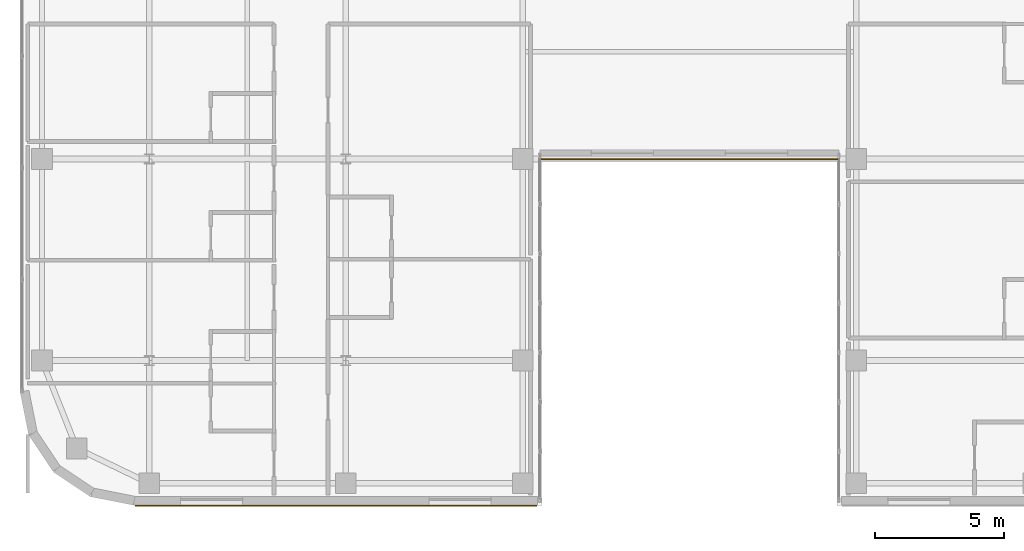
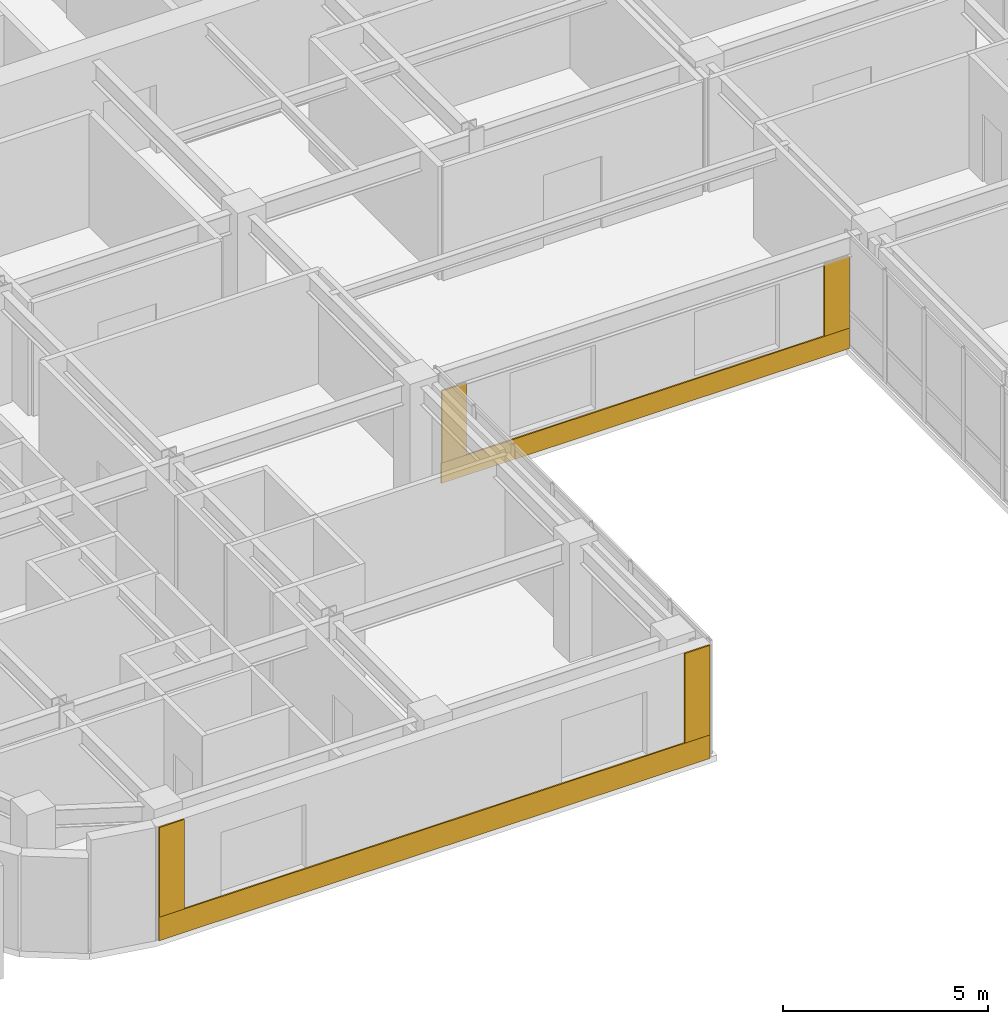
# One storey, part 24 of 28: 6 coverings.
"""IFC4 building model written with IfcOpenShell, lengths in metres."""

import ifcopenshell
import ifcopenshell.guid

model = None  # the IFC model being written
_history = None  # IfcOwnerHistory: only IFC2X3 demands one
_inside = {}  # id of a spatial element -> (the spatial element, [elements in it])
_under = {}  # id of a project, library or spatial element -> (it, [spatial elements below it])
_declared = {}  # id of a project -> (the project, [libraries it declares])
_typed = {}  # id of a type object -> (the type object, [elements of that type])
_made_of = {}  # id of a material, layer set ... -> (it, [elements and type objects made of it])


def new_model(schema):
    """Start an empty IFC model of exactly this schema.

    Asked for "IFC4X3", IfcOpenShell would pick the latest addendum, in which some entities
    have other attributes; the version numbers below select the first issue.
    IFC2X3 requires an IfcOwnerHistory on every rooted entity: one is made here for all.
    """
    global model, _history
    if schema == "IFC4X3":
        model = ifcopenshell.file(schema_version=(4, 3, 0, 0))
    else:
        model = ifcopenshell.file(schema=schema)
    _inside.clear()
    _under.clear()
    _declared.clear()
    _typed.clear()
    _made_of.clear()
    _history = None
    if model.schema == "IFC2X3":
        org = make("IfcOrganization", Name="unknown")
        user = make(
            "IfcPersonAndOrganization",
            ThePerson=make("IfcPerson", FamilyName="unknown"),
            TheOrganization=org,
        )
        app = make(
            "IfcApplication",
            ApplicationDeveloper=org,
            Version="unknown",
            ApplicationFullName="unknown",
            ApplicationIdentifier="unknown",
        )
        _history = make(
            "IfcOwnerHistory",
            OwningUser=user,
            OwningApplication=app,
            ChangeAction="ADDED",
            CreationDate=0,
        )
    return model


def make(cls, **values):
    """One entity of the class cls with the attributes given. An attribute that is None is left unset."""
    return model.create_entity(
        cls, **{name: value for name, value in values.items() if value is not None}
    )


def rooted(cls, **values):
    """An entity with a GlobalId (a new one), such as an element, a storey or a relation."""
    return make(cls, GlobalId=ifcopenshell.guid.new(), OwnerHistory=_history, **values)


def si_unit(unit_type, name, prefix=None):
    """IfcSIUnit, for example si_unit("LENGTHUNIT", "METRE", prefix="MILLI")."""
    return make("IfcSIUnit", UnitType=unit_type, Prefix=prefix, Name=name)


def assignment(units):
    """IfcUnitAssignment: the units of a project."""
    return None if units is None else make("IfcUnitAssignment", Units=units)


def point(xyz):
    """IfcCartesianPoint."""
    return None if xyz is None else make("IfcCartesianPoint", Coordinates=xyz)


def direction(xyz):
    """IfcDirection."""
    return None if xyz is None else make("IfcDirection", DirectionRatios=xyz)


def frame(location, z_axis=None, x_axis=None):
    """IfcAxis2Placement3D, a coordinate frame: its origin and axes. An axis left out is left unset."""
    return make(
        "IfcAxis2Placement3D",
        Location=point(location),
        Axis=direction(z_axis),
        RefDirection=direction(x_axis),
    )


def origin():
    """The frame at (0, 0, 0) with its axes left unset."""
    return frame((0.0, 0.0, 0.0))


def place(relative_to, where):
    """IfcLocalPlacement: puts the frame where relative to a parent placement (None: the world)."""
    return make(
        "IfcLocalPlacement", PlacementRelTo=relative_to, RelativePlacement=where
    )


def context(
    kind, dimensions, precision=None, world=None, true_north=None, identifier=None
):
    """IfcGeometricRepresentationContext, for example the 3D "Model" context."""
    return make(
        "IfcGeometricRepresentationContext",
        ContextIdentifier=identifier,
        ContextType=kind,
        CoordinateSpaceDimension=dimensions,
        Precision=precision,
        WorldCoordinateSystem=world,
        TrueNorth=true_north,
    )


def subcontext(parent, identifier, kind, view, scale=None):
    """IfcGeometricRepresentationSubContext, for example "Body" below "Model"."""
    return make(
        "IfcGeometricRepresentationSubContext",
        ContextIdentifier=identifier,
        ContextType=kind,
        ParentContext=parent,
        TargetScale=scale,
        TargetView=view,
    )


def project(units=None, contexts=None):
    """IfcProject with its units and contexts."""
    return rooted(
        "IfcProject",
        Name="project",
        RepresentationContexts=contexts,
        UnitsInContext=assignment(units),
    )


def spatial(cls, under=None, at=None, **own):
    """A site, building, storey or space (cls), placed at a placement, below another one or the project."""
    s = rooted(cls, ObjectPlacement=at, **own)
    if under is not None:
        _under.setdefault(under.id(), (under, []))[1].append(s)
    return s


def polyline(points):
    """IfcPolyline through the points."""
    return make("IfcPolyline", Points=[point(p) for p in points])


def outline(outer, holes=None, kind="AREA"):
    """IfcArbitraryClosedProfileDef: a profile drawn as a closed curve; with holes, ...WithVoids."""
    if holes is None:
        return make("IfcArbitraryClosedProfileDef", ProfileType=kind, OuterCurve=outer)
    return make(
        "IfcArbitraryProfileDefWithVoids",
        ProfileType=kind,
        OuterCurve=outer,
        InnerCurves=holes,
    )


def extrude(swept, where, along, depth):
    """IfcExtrudedAreaSolid: the profile swept, set in the frame where, extruded along a direction by depth."""
    return make(
        "IfcExtrudedAreaSolid",
        SweptArea=swept,
        Position=where,
        ExtrudedDirection=direction(along),
        Depth=depth,
    )


def shape(context_of_items, identifier, shape_type, items):
    """IfcShapeRepresentation: the items that make up one representation, for example the "Body"."""
    return make(
        "IfcShapeRepresentation",
        ContextOfItems=context_of_items,
        RepresentationIdentifier=identifier,
        RepresentationType=shape_type,
        Items=items,
    )


def material(Name=None, Category=None):
    """IfcMaterial."""
    return make("IfcMaterial", Name=Name, Category=Category)


def layer(
    of_material, thickness, ventilated=None, Name=None, Category=None, Priority=None
):
    """IfcMaterialLayer: one layer of a wall or slab, of a material (None: an air gap)."""
    return make(
        "IfcMaterialLayer",
        Material=of_material,
        LayerThickness=thickness,
        IsVentilated=ventilated,
        Name=Name,
        Category=Category,
        Priority=Priority,
    )


def layer_set(layers, Name=None):
    """IfcMaterialLayerSet."""
    return make("IfcMaterialLayerSet", MaterialLayers=layers, LayerSetName=Name)


def made_of(thing, what):
    """Note that an element or type object is made of a material, layer set ...; save() writes the relation."""
    if what is not None:
        _made_of.setdefault(what.id(), (what, []))[1].append(thing)
    return thing


def type_object(cls, material=None, **own):
    """A type object (cls), such as IfcWallType, which elements share."""
    return made_of(rooted(cls, **own), material)


def element(
    cls,
    number,
    at=None,
    inside=None,
    cuts=None,
    type_object=None,
    material=None,
    context=None,
    identifier="Body",
    shape_type=None,
    held_by="IfcProductDefinitionShape",
    body=None,
    shapes=None,
    **own,
):
    """One element of the class cls, such as IfcWall. Its Tag is "e" and its number.

    at: its placement. inside: the storey or other place that contains it. cuts: it is an
    opening in that element (IfcRelVoidsElement). A single representation is given by context,
    identifier, shape_type and body (its items); several are given by shapes. held_by: the class
    of the entity that holds the representations. save() writes the other relations.
    """
    e = rooted(cls, Tag="e%d" % number, ObjectPlacement=at, **own)
    if body is not None:
        shapes = [shape(context, identifier, shape_type, body)]
    if shapes is not None:
        e.Representation = make(held_by, Representations=shapes)
    if inside is not None:
        _inside.setdefault(inside.id(), (inside, []))[1].append(e)
    if cuts is not None:
        rooted(
            "IfcRelVoidsElement", RelatingBuildingElement=cuts, RelatedOpeningElement=e
        )
    if type_object is not None:
        _typed.setdefault(type_object.id(), (type_object, []))[1].append(e)
    return made_of(e, material)


def aggregate(whole, parts):
    """IfcRelAggregates: a whole, such as a stair, and the parts it consists of."""
    return rooted("IfcRelAggregates", RelatingObject=whole, RelatedObjects=parts)


def save(model, path):
    """Write the relations noted so far, then the file.

    IfcRelAggregates (storeys below a building ...), IfcRelContainedInSpatialStructure (elements
    in a storey), IfcRelDefinesByType, IfcRelAssociatesMaterial and IfcRelDeclares: one each for
    every whole, place, type object, material and project.
    """
    for whole, parts in _under.values():
        aggregate(whole, parts)
    for where, things in _inside.values():
        rooted(
            "IfcRelContainedInSpatialStructure",
            RelatedElements=things,
            RelatingStructure=where,
        )
    for kind, things in _typed.values():
        rooted("IfcRelDefinesByType", RelatedObjects=things, RelatingType=kind)
    for what, things in _made_of.values():
        rooted("IfcRelAssociatesMaterial", RelatedObjects=things, RelatingMaterial=what)
    for by, libraries in _declared.values():
        rooted("IfcRelDeclares", RelatingContext=by, RelatedDefinitions=libraries)
    model.write(path)


model = new_model("IFC4")

# Units and contexts
model_context = context("Model", 3, precision=1e-05, world=origin(), true_north=direction((0.0, 1.0)))
body_context = subcontext(model_context, "Body", "Model", "MODEL_VIEW")
ifc_project = project(units=[si_unit("LENGTHUNIT", "METRE"), si_unit("AREAUNIT", "SQUARE_METRE"), si_unit("VOLUMEUNIT", "CUBIC_METRE"), si_unit("PLANEANGLEUNIT", "RADIAN"), si_unit("MASSUNIT", "GRAM", prefix="KILO")], contexts=[model_context])

# Site, building, storey
site_placement = place(None, origin())
site = spatial("IfcSite", under=ifc_project, at=site_placement, CompositionType="ELEMENT")
building_placement = place(site_placement, origin())
building = spatial("IfcBuilding", under=site, at=building_placement, Name="Tolvann Quenvar Hotel", CompositionType="ELEMENT")
storey_placement = place(building_placement, frame((0.0, 0.0, 154.14990234375)))
storey = spatial("IfcBuildingStorey", under=building, at=storey_placement, Name="L40", CompositionType="ELEMENT", Elevation=154.14990234375)

# Coverings
ifc_material_1 = material(Name="Kiln-fired red architectural face brick cladding", Category="masonry")
ifc_layer_1 = layer(ifc_material_1, 0.0400390625)
ifc_layer_set_1 = layer_set([ifc_layer_1], Name="Kiln-fired red architectural face brick cladding")
covering_type_1 = type_object("IfcCoveringType", Name="COV_CLAD_BRICK_40", PredefinedType="CLADDING", material=ifc_layer_set_1)
covering_1_placement = place(storey_placement, frame((0.0, 0.0, 0.7001953125)))
element("IfcCovering", 1, at=covering_1_placement, inside=storey, type_object=covering_type_1, Name="Brick Pier Cladding (L40-E04-P1)", PredefinedType="CLADDING", context=body_context, shape_type="SweptSolid", body=[
    extrude(outline(polyline([(7.067138671875, 2.60009765625), (7.76708984375, 2.60009765625), (7.76708984375, 2.56005859375), (7.067138671875, 2.56005859375), (7.067138671875, 2.60009765625)])), origin(), (0.0, 0.0, 1.0), 2.669921875),
])
covering_2_placement = place(storey_placement, frame((0.0, 0.0, 0.7001953125)))
element("IfcCovering", 2, at=covering_2_placement, inside=storey, type_object=covering_type_1, Name="Brick Pier Cladding (L40-E04-P2)", PredefinedType="CLADDING", context=body_context, shape_type="SweptSolid", body=[
    extrude(outline(polyline([(21.875, 2.60009765625), (22.574951171875, 2.60009765625), (22.574951171875, 2.56005859375), (21.875, 2.56005859375), (21.875, 2.60009765625)])), origin(), (0.0, 0.0, 1.0), 2.669921875),
])
covering_3_placement = place(storey_placement, frame((0.0, 0.0, 0.60693359375)))
element("IfcCovering", 3, at=covering_3_placement, inside=storey, type_object=covering_type_1, Name="Brick Pier Cladding (L40-E06-P1)", PredefinedType="CLADDING", context=body_context, shape_type="SweptSolid", body=[
    extrude(outline(polyline([(22.760009765625, 16.0), (23.4599609375, 16.0), (23.4599609375, 15.9599609375), (22.760009765625, 15.9599609375), (22.760009765625, 16.0)])), origin(), (0.0, 0.0, 1.0), 2.151123046875),
])
covering_4_placement = place(storey_placement, frame((0.0, 0.0, 0.60693359375)))
element("IfcCovering", 4, at=covering_4_placement, inside=storey, type_object=covering_type_1, Name="Brick Pier Cladding (L40-E06-P2)", PredefinedType="CLADDING", context=body_context, shape_type="SweptSolid", body=[
    extrude(outline(polyline([(33.5400390625, 16.0), (34.239990234375, 16.0), (34.239990234375, 15.9599609375), (33.5400390625, 15.9599609375), (33.5400390625, 16.0)])), origin(), (0.0, 0.0, 1.0), 2.151123046875),
])
ifc_material_2 = material(Name="Moulded buff architectural terracotta spandrel cladding", Category="masonry")
ifc_layer_2 = layer(ifc_material_2, 0.0400390625)
ifc_layer_set_2 = layer_set([ifc_layer_2], Name="Moulded buff architectural terracotta spandrel cladding")
covering_type_2 = type_object("IfcCoveringType", Name="COV_CLAD_TERRA_40", PredefinedType="CLADDING", material=ifc_layer_set_2)
covering_5_placement = place(storey_placement, origin())
element("IfcCovering", 5, at=covering_5_placement, inside=storey, type_object=covering_type_2, Name="Terracotta Spandrel Cladding (L40-E04)", PredefinedType="CLADDING", context=body_context, shape_type="SweptSolid", body=[
    extrude(outline(polyline([(7.05712890625, 2.60009765625), (22.5849609375, 2.60009765625), (22.5849609375, 2.56005859375), (7.05712890625, 2.56005859375), (7.05712890625, 2.60009765625)])), origin(), (0.0, 0.0, 1.0), 0.7001953125),
])
covering_6_placement = place(storey_placement, origin())
element("IfcCovering", 6, at=covering_6_placement, inside=storey, type_object=covering_type_2, Name="Terracotta Spandrel Cladding (L40-E06)", PredefinedType="CLADDING", context=body_context, shape_type="SweptSolid", body=[
    extrude(outline(polyline([(22.75, 16.0), (34.25, 16.0), (34.25, 15.9599609375), (22.75, 15.9599609375), (22.75, 16.0)])), origin(), (0.0, 0.0, 1.0), 0.60693359375),
])

save(model, "model.ifc")
